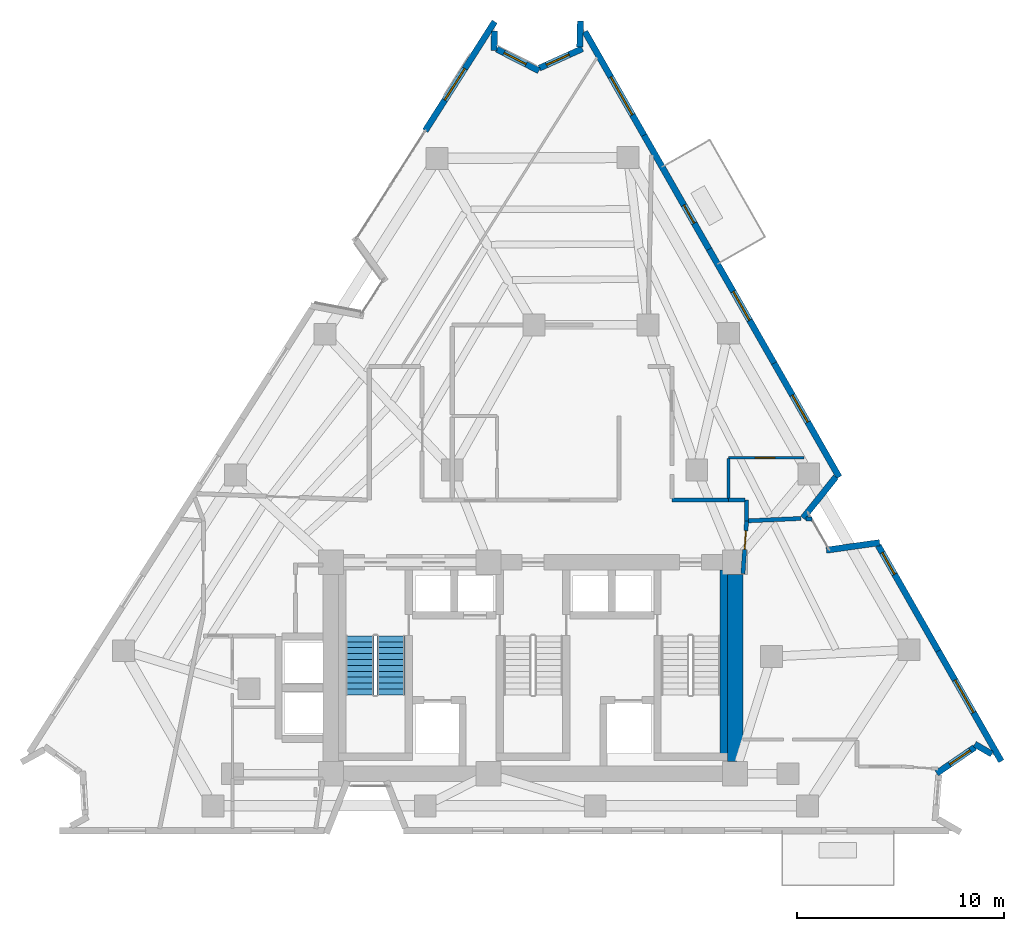
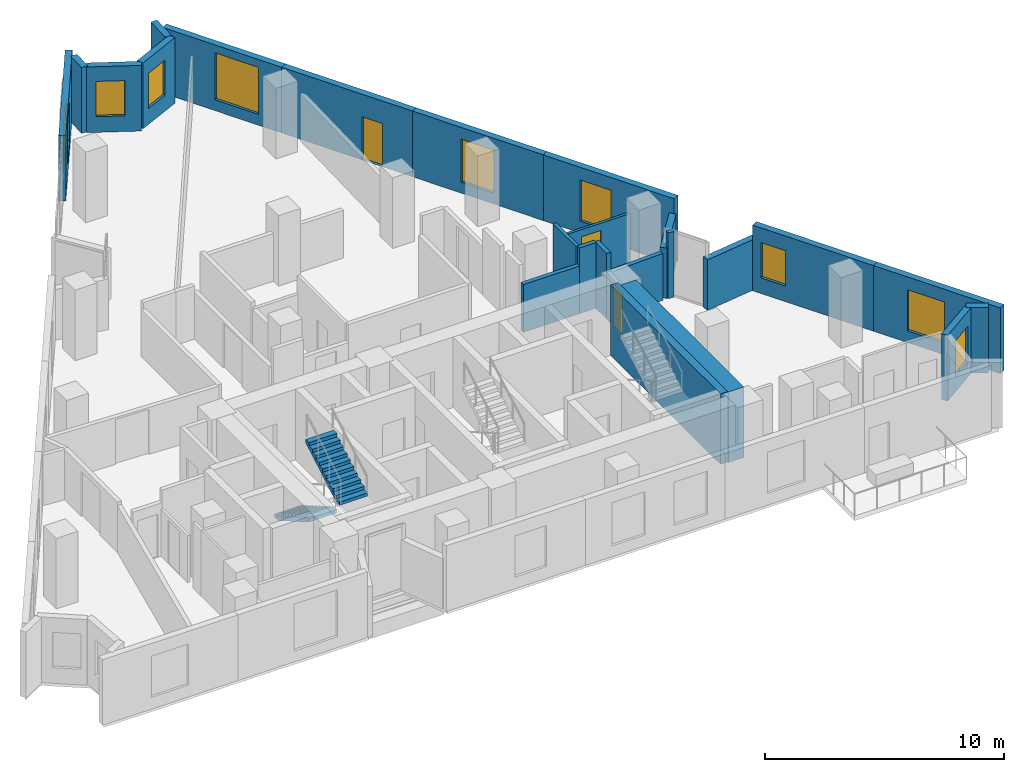
# One storey, part 9 of 12: 25 walls, 9 windows, 3 doors, 2 stair flights, 12 openings, 1 element without a shape of its own.
"""IFC4 building model written with IfcOpenShell, lengths in metres."""

from ifc_helpers import new_model, si_unit, direction, frame, frame_2d, origin, place, context, subcontext, project, spatial, polyline, rectangle, outline, extrude, material, layer, layer_set, type_object, element, fill, aggregate, save


model = new_model("IFC4")

# Units and contexts
model_context = context("Model", 3, precision=1e-05, world=origin(), true_north=direction((0.0, 1.0)))
body_context = subcontext(model_context, "Body", "Model", "MODEL_VIEW")
ifc_project = project(units=[si_unit("LENGTHUNIT", "METRE"), si_unit("AREAUNIT", "SQUARE_METRE"), si_unit("VOLUMEUNIT", "CUBIC_METRE"), si_unit("PLANEANGLEUNIT", "RADIAN"), si_unit("MASSUNIT", "GRAM", prefix="KILO")], contexts=[model_context])

# Site, building, storey
site_placement = place(None, origin())
site = spatial("IfcSite", under=ifc_project, at=site_placement, CompositionType="ELEMENT")
building_placement = place(site_placement, origin())
building = spatial("IfcBuilding", under=site, at=building_placement, Name="Almagre Mirador Tower", CompositionType="ELEMENT")
storey_placement = place(building_placement, frame((0.0, 0.0, 139.199951171875)))
storey = spatial("IfcBuildingStorey", under=building, at=storey_placement, Name="L35", CompositionType="ELEMENT", Elevation=139.199951171875)

# Wall, opening, window
ifc_material_1 = material(Name="Precast concrete C50/60", Category="concrete")
ifc_layer_1 = layer(ifc_material_1, 0.300048828125)
ifc_layer_set_1 = layer_set([ifc_layer_1], Name="Precast concrete C50/60")
wall_type_1 = type_object("IfcWallType", Name="WAL-EXT-300", PredefinedType="SOLIDWALL", material=ifc_layer_set_1)
wall_1_placement = place(storey_placement, frame((32.10205078125, 35.56640625, 0.0), z_axis=(0.0, 0.0, 1.0), x_axis=(0.537093362062, 0.84352280374, 0.0)))
wall_1 = element("IfcWall", 1, at=wall_1_placement, inside=storey, type_object=wall_type_1, Name="L35 expressed almagre precast frame wall 03", PredefinedType="SOLIDWALL", context=body_context, shape_type="SweptSolid", body=[
    extrude(rectangle(XDim=6.235107421875, YDim=0.300048828125, at=frame_2d((3.11767578125, 0.0))), origin(), (0.0, 0.0, 1.0), 3.35009765625),
])
opening_1_placement = place(wall_1_placement, frame((1.75, 0.0, 0.60009765625)))
opening_1 = element("IfcOpeningElement", 2, at=opening_1_placement, cuts=wall_1, Name="Opening WN-01", PredefinedType="OPENING", context=body_context, shape_type="SweptSolid", body=[
    extrude(rectangle(XDim=1.800048828125, YDim=2.10009765625, at=frame_2d((0.89990234375, 1.050048828125))), frame((0.0, 0.159902, 0.0), z_axis=(0.0, -1.0, 0.0), x_axis=(1.0, 0.0, 0.0)), (0.0, 0.0, 1.0), 0.320049),
])
ifc_material_2 = material(Name="Dark solar-control laminated hurricane glass", Category="glass")
window_type_1 = type_object("IfcWindowType", Name="WIN-1800X2100", PartitioningType="DOUBLE_PANEL_VERTICAL", PredefinedType="WINDOW", material=ifc_material_2)
window_1_placement = place(opening_1_placement, origin())
window_1 = element("IfcWindow", 3, at=window_1_placement, inside=storey, type_object=window_type_1, Name="L35 recessed hurricane window L35-RST-H", OverallHeight=2.10009765625, OverallWidth=1.800048828125, PartitioningType="SINGLE_PANEL", PredefinedType="WINDOW", context=body_context, shape_type="SweptSolid", body=[
    extrude(rectangle(XDim=1.800048828125, YDim=2.10009765625, at=frame_2d((0.89990234375, 1.050048828125))), frame((0.0, 0.030029296875, 0.0), z_axis=(0.0, -1.0, 0.0), x_axis=(1.0, 0.0, 0.0)), (0.0, 0.0, 1.0), 0.06005859375),
])
fill(opening_1, window_1)

# Wall
wall_2_placement = place(storey_placement, frame((35.4404296875, 40.381103515625, 0.0), z_axis=(0.0, 0.0, 1.0), x_axis=(-0.023766291255, -0.999717541809, 0.0)))
element("IfcWall", 4, at=wall_2_placement, inside=storey, type_object=wall_type_1, Name="L35 expressed almagre precast frame wall 04", PredefinedType="SOLIDWALL", context=body_context, shape_type="SweptSolid", body=[
    extrude(rectangle(XDim=0.955322265625, YDim=0.300048828125, at=frame_2d((0.4775390625, 0.0))), origin(), (0.0, 0.0, 1.0), 3.35009765625),
])

# Wall, opening, window
wall_3_placement = place(storey_placement, frame((35.545654296875, 39.502197265625, 0.0), z_axis=(0.0, 0.0, 1.0), x_axis=(0.890388661124, -0.455201089786, 0.0)))
wall_3 = element("IfcWall", 5, at=wall_3_placement, inside=storey, type_object=wall_type_1, Name="L35 expressed almagre precast frame wall 05", PredefinedType="SOLIDWALL", context=body_context, shape_type="SweptSolid", body=[
    extrude(rectangle(XDim=2.29345703125, YDim=0.300048828125, at=frame_2d((1.146728515625, 0.0))), origin(), (0.0, 0.0, 1.0), 3.35009765625),
])
opening_2_placement = place(wall_3_placement, frame((0.39501953125, 0.0, 0.800048828125)))
opening_2 = element("IfcOpeningElement", 6, at=opening_2_placement, cuts=wall_3, Name="Opening WN-04", PredefinedType="OPENING", context=body_context, shape_type="SweptSolid", body=[
    extrude(rectangle(XDim=1.199951171875, YDim=1.800048828125, at=frame_2d((0.60009765625, 0.89990234375))), frame((0.0, 0.159902, 0.0), z_axis=(0.0, -1.0, 0.0), x_axis=(1.0, 0.0, 0.0)), (0.0, 0.0, 1.0), 0.320049),
])
ifc_material_3 = material(Name="Dark solar-control laminated hurricane glass", Category="glass")
window_type_2 = type_object("IfcWindowType", Name="WIN-1200X1800", PartitioningType="SINGLE_PANEL", PredefinedType="WINDOW", material=ifc_material_3)
window_2_placement = place(opening_2_placement, origin())
window_2 = element("IfcWindow", 7, at=window_2_placement, inside=storey, type_object=window_type_2, Name="L35 recessed hurricane window L35-RST-H", OverallHeight=1.800048828125, OverallWidth=1.199951171875, PartitioningType="SINGLE_PANEL", PredefinedType="WINDOW", context=body_context, shape_type="SweptSolid", body=[
    extrude(rectangle(XDim=1.199951171875, YDim=1.800048828125, at=frame_2d((0.60009765625, 0.89990234375))), frame((0.0, 0.030029296875, 0.0), z_axis=(0.0, -1.0, 0.0), x_axis=(1.0, 0.0, 0.0)), (0.0, 0.0, 1.0), 0.06005859375),
])
fill(opening_2, window_2)

wall_4_placement = place(storey_placement, frame((37.604248046875, 38.585693359375, 0.0), z_axis=(0.0, 0.0, 1.0), x_axis=(0.911256421967, 0.411839451029, 0.0)))
wall_4 = element("IfcWall", 8, at=wall_4_placement, inside=storey, type_object=wall_type_1, Name="L35 expressed almagre precast frame wall 06", PredefinedType="SOLIDWALL", context=body_context, shape_type="SweptSolid", body=[
    extrude(rectangle(XDim=2.277587890625, YDim=0.300048828125, at=frame_2d((1.138671875, 0.0))), origin(), (0.0, 0.0, 1.0), 3.35009765625),
])
opening_3_placement = place(wall_4_placement, frame((0.3798828125, 0.0, 0.800048828125)))
opening_3 = element("IfcOpeningElement", 9, at=opening_3_placement, cuts=wall_4, Name="Opening WN-04", PredefinedType="OPENING", context=body_context, shape_type="SweptSolid", body=[
    extrude(rectangle(XDim=1.199951171875, YDim=1.800048828125, at=frame_2d((0.60009765625, 0.89990234375))), frame((0.0, 0.159902, 0.0), z_axis=(0.0, -1.0, 0.0), x_axis=(1.0, 0.0, 0.0)), (0.0, 0.0, 1.0), 0.320049),
])
window_3_placement = place(opening_3_placement, origin())
window_3 = element("IfcWindow", 10, at=window_3_placement, inside=storey, type_object=window_type_2, Name="L35 recessed hurricane window L35-RST-H", OverallHeight=1.800048828125, OverallWidth=1.199951171875, PartitioningType="SINGLE_PANEL", PredefinedType="WINDOW", context=body_context, shape_type="SweptSolid", body=[
    extrude(rectangle(XDim=1.199951171875, YDim=1.800048828125, at=frame_2d((0.60009765625, 0.89990234375))), frame((0.0, 0.030029296875, 0.0), z_axis=(0.0, -1.0, 0.0), x_axis=(1.0, 0.0, 0.0)), (0.0, 0.0, 1.0), 0.06005859375),
])
fill(opening_3, window_3)

# Wall
wall_5_placement = place(storey_placement, frame((39.555419921875, 39.60595703125, 0.0), z_axis=(0.0, 0.0, 1.0), x_axis=(0.024600187161, 0.999697369603, 0.0)))
element("IfcWall", 11, at=wall_5_placement, inside=storey, type_object=wall_type_1, Name="L35 expressed almagre precast frame wall 07", PredefinedType="SOLIDWALL", context=body_context, shape_type="SweptSolid", body=[
    extrude(rectangle(XDim=1.260498046875, YDim=0.300048828125, at=frame_2d((0.63037109375, 0.0))), origin(), (0.0, 0.0, 1.0), 3.35009765625),
])

# Wall, opening, window
wall_6_placement = place(storey_placement, frame((39.801025390625, 40.343994140625, 0.0), z_axis=(0.0, 0.0, 1.0), x_axis=(0.495718237465, -0.868483407467, 0.0)))
wall_6 = element("IfcWall", 12, at=wall_6_placement, inside=storey, type_object=wall_type_1, Name="L35 expressed almagre precast frame wall 08", PredefinedType="SOLIDWALL", context=body_context, shape_type="SweptSolid", body=[
    extrude(rectangle(XDim=5.75048828125, YDim=0.300048828125, at=frame_2d((2.875244140625, 0.0))), origin(), (0.0, 0.0, 1.0), 3.35009765625),
])
opening_4_placement = place(wall_6_placement, frame((2.52001953125, 0.0, 0.550048828125)))
opening_4 = element("IfcOpeningElement", 13, at=opening_4_placement, cuts=wall_6, Name="Opening WN-05", PredefinedType="OPENING", context=body_context, shape_type="SweptSolid", body=[
    extrude(rectangle(XDim=2.10009765625, YDim=2.39990234375, at=frame_2d((1.050048828125, 1.199951171875))), frame((0.0, 0.159902, 0.0), z_axis=(0.0, -1.0, 0.0), x_axis=(1.0, 0.0, 0.0)), (0.0, 0.0, 1.0), 0.320049),
])
ifc_material_4 = material(Name="Dark solar-control laminated hurricane glass", Category="glass")
window_type_3 = type_object("IfcWindowType", Name="WIN-2100X2400", PartitioningType="DOUBLE_PANEL_VERTICAL", PredefinedType="WINDOW", material=ifc_material_4)
window_4_placement = place(opening_4_placement, origin())
window_4 = element("IfcWindow", 14, at=window_4_placement, inside=storey, type_object=window_type_3, Name="L35 recessed hurricane window L35-RST-J", OverallHeight=2.39990234375, OverallWidth=2.10009765625, PartitioningType="SINGLE_PANEL", PredefinedType="WINDOW", context=body_context, shape_type="SweptSolid", body=[
    extrude(rectangle(XDim=2.10009765625, YDim=2.39990234375, at=frame_2d((1.050048828125, 1.199951171875))), frame((0.0, 0.030029296875, 0.0), z_axis=(0.0, -1.0, 0.0), x_axis=(1.0, 0.0, 0.0)), (0.0, 0.0, 1.0), 0.06005859375),
])
fill(opening_4, window_4)

# Wall, opening, door
wall_7_placement = place(storey_placement, frame((42.651611328125, 35.349853515625, 0.0), z_axis=(0.0, 0.0, 1.0), x_axis=(0.495702771017, -0.868492235317, 0.0)))
wall_7 = element("IfcWall", 15, at=wall_7_placement, inside=storey, type_object=wall_type_1, Name="L35 expressed almagre precast frame wall 09", PredefinedType="SOLIDWALL", context=body_context, shape_type="SweptSolid", body=[
    extrude(rectangle(XDim=6.330322265625, YDim=0.300048828125, at=frame_2d((3.1650390625, 0.0))), origin(), (0.0, 0.0, 1.0), 3.35009765625),
])
opening_5_placement = place(wall_7_placement, frame((3.8876953125, 0.0, 0.0)))
opening_5 = element("IfcOpeningElement", 16, at=opening_5_placement, cuts=wall_7, Name="Opening BD-01", PredefinedType="OPENING", context=body_context, shape_type="SweptSolid", body=[
    extrude(rectangle(XDim=1.0, YDim=2.199951171875, at=frame_2d((0.5, 1.10009765625))), frame((0.0, 0.159902, 0.0), z_axis=(0.0, -1.0, 0.0), x_axis=(1.0, 0.0, 0.0)), (0.0, 0.0, 1.0), 0.320049),
])
ifc_material_5 = material(Name="Black anodized aluminium and laminated glass", Category="aluminium")
door_type_1 = type_object("IfcDoorType", Name="DOR-BAL-1000X2200", OperationType="NOTDEFINED", PredefinedType="DOOR", material=ifc_material_5)
door_1_placement = place(opening_5_placement, origin())
door_1 = element("IfcDoor", 17, at=door_1_placement, inside=storey, type_object=door_type_1, Name="DR-1141 L35 east balcony glazed door 2", OperationType="SINGLE_SWING_RIGHT", OverallHeight=2.199951171875, OverallWidth=1.0, PredefinedType="DOOR", context=body_context, shape_type="SweptSolid", body=[
    extrude(rectangle(XDim=1.0, YDim=2.199951171875, at=frame_2d((0.5, 1.10009765625))), frame((0.0, 0.02490234375, 0.0), z_axis=(0.0, -1.0, 0.0), x_axis=(1.0, 0.0, 0.0)), (0.0, 0.0, 1.0), 0.050048828125),
])
fill(opening_5, door_1)

# Wall, opening, window
wall_8_placement = place(storey_placement, frame((45.78955078125, 29.85205078125, 0.0), z_axis=(0.0, 0.0, 1.0), x_axis=(0.495702771017, -0.868492235317, 0.0)))
wall_8 = element("IfcWall", 18, at=wall_8_placement, inside=storey, type_object=wall_type_1, Name="L35 expressed almagre precast frame wall 10", PredefinedType="SOLIDWALL", context=body_context, shape_type="SweptSolid", body=[
    extrude(rectangle(XDim=6.330322265625, YDim=0.300048828125, at=frame_2d((3.1650390625, 0.0))), origin(), (0.0, 0.0, 1.0), 3.35009765625),
])
opening_6_placement = place(wall_8_placement, frame((2.35009765625, 0.0, 0.550048828125)))
opening_6 = element("IfcOpeningElement", 19, at=opening_6_placement, cuts=wall_8, Name="Opening WN-06", PredefinedType="OPENING", context=body_context, shape_type="SweptSolid", body=[
    extrude(rectangle(XDim=1.60009765625, YDim=2.199951171875, at=frame_2d((0.800048828125, 1.10009765625))), frame((0.0, 0.159902, 0.0), z_axis=(0.0, -1.0, 0.0), x_axis=(1.0, 0.0, 0.0)), (0.0, 0.0, 1.0), 0.320049),
])
ifc_material_6 = material(Name="Dark solar-control laminated hurricane glass", Category="glass")
window_type_4 = type_object("IfcWindowType", Name="WIN-1600X2200", PartitioningType="DOUBLE_PANEL_VERTICAL", PredefinedType="WINDOW", material=ifc_material_6)
window_5_placement = place(opening_6_placement, origin())
window_5 = element("IfcWindow", 20, at=window_5_placement, inside=storey, type_object=window_type_4, Name="L35 recessed hurricane window L35-UG-ST", OverallHeight=2.199951171875, OverallWidth=1.60009765625, PartitioningType="SINGLE_PANEL", PredefinedType="WINDOW", context=body_context, shape_type="SweptSolid", body=[
    extrude(rectangle(XDim=1.60009765625, YDim=2.199951171875, at=frame_2d((0.800048828125, 1.10009765625))), frame((0.0, 0.030029296875, 0.0), z_axis=(0.0, -1.0, 0.0), x_axis=(1.0, 0.0, 0.0)), (0.0, 0.0, 1.0), 0.06005859375),
])
fill(opening_6, window_5)

wall_9_placement = place(storey_placement, frame((48.927490234375, 24.354248046875, 0.0), z_axis=(0.0, 0.0, 1.0), x_axis=(0.495702771017, -0.868492235317, 0.0)))
wall_9 = element("IfcWall", 21, at=wall_9_placement, inside=storey, type_object=wall_type_1, Name="L35 expressed almagre precast frame wall 11", PredefinedType="SOLIDWALL", context=body_context, shape_type="SweptSolid", body=[
    extrude(rectangle(XDim=6.330322265625, YDim=0.300048828125, at=frame_2d((3.1650390625, 0.0))), origin(), (0.0, 0.0, 1.0), 3.35009765625),
])
opening_7_placement = place(wall_9_placement, frame((1.77490234375, 0.0, 0.60009765625)))
opening_7 = element("IfcOpeningElement", 22, at=opening_7_placement, cuts=wall_9, Name="Opening WN-03", PredefinedType="OPENING", context=body_context, shape_type="SweptSolid", body=[
    extrude(rectangle(XDim=1.5, YDim=2.10009765625, at=frame_2d((0.75, 1.050048828125))), frame((0.0, 0.159902, 0.0), z_axis=(0.0, -1.0, 0.0), x_axis=(1.0, 0.0, 0.0)), (0.0, 0.0, 1.0), 0.320049),
])
ifc_material_7 = material(Name="Dark solar-control laminated hurricane glass", Category="glass")
window_type_5 = type_object("IfcWindowType", Name="WIN-1500X2100", PartitioningType="DOUBLE_PANEL_VERTICAL", PredefinedType="WINDOW", material=ifc_material_7)
window_6_placement = place(opening_7_placement, origin())
window_6 = element("IfcWindow", 23, at=window_6_placement, inside=storey, type_object=window_type_5, Name="L35 recessed hurricane window L35-UG-ST", OverallHeight=2.10009765625, OverallWidth=1.5, PartitioningType="SINGLE_PANEL", PredefinedType="WINDOW", context=body_context, shape_type="SweptSolid", body=[
    extrude(rectangle(XDim=1.5, YDim=2.10009765625, at=frame_2d((0.75, 1.050048828125))), frame((0.0, 0.030029296875, 0.0), z_axis=(0.0, -1.0, 0.0), x_axis=(1.0, 0.0, 0.0)), (0.0, 0.0, 1.0), 0.06005859375),
])
fill(opening_7, window_6)

# Walls
wall_10_placement = place(storey_placement, frame((51.90869140625, 18.86865234375, 0.0), z_axis=(0.0, 0.0, 1.0), x_axis=(-0.624062389724, -0.781374515666, 0.0)))
element("IfcWall", 24, at=wall_10_placement, inside=storey, type_object=wall_type_1, Name="L35 expressed almagre precast frame wall 12", PredefinedType="SOLIDWALL", context=body_context, shape_type="SweptSolid", body=[
    extrude(rectangle(XDim=2.5419921875, YDim=0.300048828125, at=frame_2d((1.27099609375, 0.0))), origin(), (0.0, 0.0, 1.0), 2.574951171875),
])
wall_11_placement = place(storey_placement, frame((51.449462890625, 15.33447265625, 0.0), z_axis=(0.0, 0.0, 1.0), x_axis=(0.990155518745, 0.139971599617, 0.0)))
element("IfcWall", 25, at=wall_11_placement, inside=storey, type_object=wall_type_1, Name="L35 expressed almagre precast frame wall 13", PredefinedType="SOLIDWALL", context=body_context, shape_type="SweptSolid", body=[
    extrude(rectangle(XDim=2.59375, YDim=0.300048828125, at=frame_2d((1.296875, 0.0))), origin(), (0.0, 0.0, 1.0), 2.574951171875),
])

# Wall, opening, window
wall_12_placement = place(storey_placement, frame((53.94580078125, 15.560791015625, 0.0), z_axis=(0.0, 0.0, 1.0), x_axis=(0.495694281434, -0.868497080797, 0.0)))
wall_12 = element("IfcWall", 26, at=wall_12_placement, inside=storey, type_object=wall_type_1, Name="L35 expressed almagre precast frame wall 14", PredefinedType="SOLIDWALL", context=body_context, shape_type="SweptSolid", body=[
    extrude(rectangle(XDim=5.854736328125, YDim=0.300048828125, at=frame_2d((2.92724609375, 0.0))), origin(), (0.0, 0.0, 1.0), 3.35009765625),
])
opening_8_placement = place(wall_12_placement, frame((0.39990234375, 0.0, 0.800048828125)))
opening_8 = element("IfcOpeningElement", 27, at=opening_8_placement, cuts=wall_12, Name="Opening WN-04", PredefinedType="OPENING", context=body_context, shape_type="SweptSolid", body=[
    extrude(rectangle(XDim=1.199951171875, YDim=1.800048828125, at=frame_2d((0.60009765625, 0.89990234375))), frame((0.0, 0.159902, 0.0), z_axis=(0.0, -1.0, 0.0), x_axis=(1.0, 0.0, 0.0)), (0.0, 0.0, 1.0), 0.320049),
])
window_7_placement = place(opening_8_placement, origin())
window_7 = element("IfcWindow", 28, at=window_7_placement, inside=storey, type_object=window_type_2, Name="L35 recessed hurricane window L35-UE-BT", OverallHeight=1.800048828125, OverallWidth=1.199951171875, PartitioningType="SINGLE_PANEL", PredefinedType="WINDOW", context=body_context, shape_type="SweptSolid", body=[
    extrude(rectangle(XDim=1.199951171875, YDim=1.800048828125, at=frame_2d((0.60009765625, 0.89990234375))), frame((0.0, 0.030029296875, 0.0), z_axis=(0.0, -1.0, 0.0), x_axis=(1.0, 0.0, 0.0)), (0.0, 0.0, 1.0), 0.06005859375),
])
fill(opening_8, window_7)

wall_13_placement = place(storey_placement, frame((56.847900390625, 10.47607421875, 0.0), z_axis=(0.0, 0.0, 1.0), x_axis=(0.495701378265, -0.868493030246, 0.0)))
wall_13 = element("IfcWall", 29, at=wall_13_placement, inside=storey, type_object=wall_type_1, Name="L35 expressed almagre precast frame wall 15", PredefinedType="SOLIDWALL", context=body_context, shape_type="SweptSolid", body=[
    extrude(rectangle(XDim=6.1298828125, YDim=0.300048828125, at=frame_2d((3.06494140625, 0.0))), origin(), (0.0, 0.0, 1.0), 3.35009765625),
])
opening_9_placement = place(wall_13_placement, frame((1.625, 0.0, 0.60009765625)))
opening_9 = element("IfcOpeningElement", 30, at=opening_9_placement, cuts=wall_13, Name="Opening WN-01", PredefinedType="OPENING", context=body_context, shape_type="SweptSolid", body=[
    extrude(rectangle(XDim=1.800048828125, YDim=2.10009765625, at=frame_2d((0.89990234375, 1.050048828125))), frame((0.0, 0.159902, 0.0), z_axis=(0.0, -1.0, 0.0), x_axis=(1.0, 0.0, 0.0)), (0.0, 0.0, 1.0), 0.320049),
])
window_8_placement = place(opening_9_placement, origin())
window_8 = element("IfcWindow", 31, at=window_8_placement, inside=storey, type_object=window_type_1, Name="L35 recessed hurricane window L35-UD-ST", OverallHeight=2.10009765625, OverallWidth=1.800048828125, PartitioningType="SINGLE_PANEL", PredefinedType="WINDOW", context=body_context, shape_type="SweptSolid", body=[
    extrude(rectangle(XDim=1.800048828125, YDim=2.10009765625, at=frame_2d((0.89990234375, 1.050048828125))), frame((0.0, 0.030029296875, 0.0), z_axis=(0.0, -1.0, 0.0), x_axis=(1.0, 0.0, 0.0)), (0.0, 0.0, 1.0), 0.06005859375),
])
fill(opening_9, window_8)

# Wall
wall_14_placement = place(storey_placement, frame((59.432373046875, 5.49755859375, 0.0), z_axis=(0.0, 0.0, 1.0), x_axis=(-0.864584698218, 0.502487113871, 0.0)))
element("IfcWall", 32, at=wall_14_placement, inside=storey, type_object=wall_type_1, Name="L35 expressed almagre precast frame wall 16", PredefinedType="SOLIDWALL", context=body_context, shape_type="SweptSolid", body=[
    extrude(rectangle(XDim=0.954833984375, YDim=0.300048828125, at=frame_2d((0.4775390625, 0.0))), origin(), (0.0, 0.0, 1.0), 3.35009765625),
])

# Wall, opening, window
wall_15_placement = place(storey_placement, frame((58.6083984375, 5.8251953125, 0.0), z_axis=(0.0, 0.0, 1.0), x_axis=(-0.8261738865, -0.563415219234, 0.0)))
wall_15 = element("IfcWall", 33, at=wall_15_placement, inside=storey, type_object=wall_type_1, Name="L35 expressed almagre precast frame wall 17", PredefinedType="SOLIDWALL", context=body_context, shape_type="SweptSolid", body=[
    extrude(rectangle(XDim=2.222412109375, YDim=0.300048828125, at=frame_2d((1.111328125, 0.0))), origin(), (0.0, 0.0, 1.0), 3.35009765625),
])
opening_10_placement = place(wall_15_placement, frame((0.264892578125, 0.0, 0.800048828125)))
opening_10 = element("IfcOpeningElement", 34, at=opening_10_placement, cuts=wall_15, Name="Opening WN-04", PredefinedType="OPENING", context=body_context, shape_type="SweptSolid", body=[
    extrude(rectangle(XDim=1.199951171875, YDim=1.800048828125, at=frame_2d((0.60009765625, 0.89990234375))), frame((0.0, 0.159902, 0.0), z_axis=(0.0, -1.0, 0.0), x_axis=(1.0, 0.0, 0.0)), (0.0, 0.0, 1.0), 0.320049),
])
window_9_placement = place(opening_10_placement, origin())
window_9 = element("IfcWindow", 35, at=window_9_placement, inside=storey, type_object=window_type_2, Name="L35 recessed hurricane window L35-UD-ST", OverallHeight=1.800048828125, OverallWidth=1.199951171875, PartitioningType="SINGLE_PANEL", PredefinedType="WINDOW", context=body_context, shape_type="SweptSolid", body=[
    extrude(rectangle(XDim=1.199951171875, YDim=1.800048828125, at=frame_2d((0.60009765625, 0.89990234375))), frame((0.0, 0.030029296875, 0.0), z_axis=(0.0, -1.0, 0.0), x_axis=(1.0, 0.0, 0.0)), (0.0, 0.0, 1.0), 0.06005859375),
])
fill(opening_10, window_9)

# Wall, opening, door
ifc_material_8 = material(Name="Gypsum acoustic stud partition", Category="other")
ifc_layer_2 = layer(ifc_material_8, 0.125)
ifc_layer_set_2 = layer_set([ifc_layer_2], Name="Gypsum acoustic stud partition")
wall_type_2 = type_object("IfcWallType", Name="WAL-PRT-125-UTL", PredefinedType="PARTITIONING", material=ifc_layer_set_2)
wall_16_placement = place(storey_placement, frame((46.719970703125, 19.800048828125, 0.0), z_axis=(0.0, 0.0, 1.0), x_axis=(1.0, 0.0, 0.0)))
wall_16 = element("IfcWall", 36, at=wall_16_placement, inside=storey, type_object=wall_type_2, Name="L35 interior partition 054", PredefinedType="PARTITIONING", context=body_context, shape_type="SweptSolid", body=[
    extrude(rectangle(XDim=3.650146484375, YDim=0.125, at=frame_2d((1.8251953125, 0.0))), origin(), (0.0, 0.0, 1.0), 2.570068359375),
])
opening_11_placement = place(wall_16_placement, frame((1.29248046875, 0.0, 0.0)))
opening_11 = element("IfcOpeningElement", 37, at=opening_11_placement, cuts=wall_16, Name="Opening UD-01", PredefinedType="OPENING", context=body_context, shape_type="SweptSolid", body=[
    extrude(rectangle(XDim=0.949951171875, YDim=2.199951171875, at=frame_2d((0.47509765625, 1.10009765625))), frame((0.0, 0.0725, 0.0), z_axis=(0.0, -1.0, 0.0), x_axis=(1.0, 0.0, 0.0)), (0.0, 0.0, 1.0), 0.145),
])
ifc_material_9 = material(Name="Solid American walnut timber", Category="wood")
door_type_2 = type_object("IfcDoorType", Name="DOR-UNR-950X2200", OperationType="NOTDEFINED", PredefinedType="DOOR", material=ifc_material_9)
door_2_placement = place(opening_11_placement, origin())
door_2 = element("IfcDoor", 38, at=door_2_placement, inside=storey, type_object=door_type_2, Name="DR-1158 L35 interior door L35-UG-ST to L35-UG-KT", OperationType="SINGLE_SWING_LEFT", OverallHeight=2.199951171875, OverallWidth=0.949951171875, PredefinedType="DOOR", context=body_context, shape_type="SweptSolid", body=[
    extrude(rectangle(XDim=0.949951171875, YDim=2.199951171875, at=frame_2d((0.47509765625, 1.10009765625))), frame((0.0, 0.02490234375, 0.0), z_axis=(0.0, -1.0, 0.0), x_axis=(1.0, 0.0, 0.0)), (0.0, 0.0, 1.0), 0.050048828125),
])
fill(opening_11, door_2)

# Wall
ifc_material_10 = material(Name="Gypsum acoustic stud partition", Category="other")
ifc_layer_3 = layer(ifc_material_10, 0.14990234375)
ifc_layer_set_3 = layer_set([ifc_layer_3], Name="Gypsum acoustic stud partition")
wall_type_3 = type_object("IfcWallType", Name="WAL-PRT-150-STD", PredefinedType="PARTITIONING", material=ifc_layer_set_3)
wall_17_placement = place(storey_placement, frame((46.719970703125, 19.75244140625, 0.0), z_axis=(0.0, 0.0, 1.0), x_axis=(0.0, -1.0, 0.0)))
element("IfcWall", 39, at=wall_17_placement, inside=storey, type_object=wall_type_3, Name="L35 interior partition 058", PredefinedType="PARTITIONING", context=body_context, shape_type="SweptSolid", body=[
    extrude(rectangle(XDim=1.91748046875, YDim=0.14990234375, at=frame_2d((0.958740234375, 0.0))), origin(), (0.0, 0.0, 1.0), 3.35009765625),
])

# Wall, opening, door
ifc_material_11 = material(Name="Gypsum acoustic stud partition", Category="other")
ifc_layer_4 = layer(ifc_material_11, 0.199951171875)
ifc_layer_set_4 = layer_set([ifc_layer_4], Name="Gypsum acoustic stud partition")
wall_type_4 = type_object("IfcWallType", Name="WAL-PRT-200-EI60", PredefinedType="PARTITIONING", material=ifc_layer_set_4)
wall_18_placement = place(storey_placement, frame((47.425048828125, 14.199951171875, 0.0), z_axis=(0.0, 0.0, 1.0), x_axis=(0.068484119878, 0.997652206595, 0.0)))
wall_18 = element("IfcWall", 40, at=wall_18_placement, inside=storey, type_object=wall_type_4, Name="L35 interior partition 005", PredefinedType="PARTITIONING", context=body_context, shape_type="SweptSolid", body=[
    extrude(rectangle(XDim=2.55615234375, YDim=0.199951171875, at=frame_2d((1.278076171875, 0.0))), origin(), (0.0, 0.0, 1.0), 2.39306640625),
])
opening_12_placement = place(wall_18_placement, frame((1.172119140625, 0.0, 0.0)))
opening_12 = element("IfcOpeningElement", 41, at=opening_12_placement, cuts=wall_18, Name="Opening ID-03", PredefinedType="OPENING", context=body_context, shape_type="SweptSolid", body=[
    extrude(rectangle(XDim=0.89990234375, YDim=2.10009765625, at=frame_2d((0.449951171875, 1.050048828125))), frame((0.0, 0.110098, 0.0), z_axis=(0.0, -1.0, 0.0), x_axis=(1.0, 0.0, 0.0)), (0.0, 0.0, 1.0), 0.219951),
])
ifc_material_12 = material(Name="Fire-rated hollow steel", Category="steel")
door_type_3 = type_object("IfcDoorType", Name="DOR-FD60-900X2100", OperationType="NOTDEFINED", PredefinedType="DOOR", material=ifc_material_12)
door_3_placement = place(opening_12_placement, origin())
door_3 = element("IfcDoor", 42, at=door_3_placement, inside=storey, type_object=door_type_3, Name="DR-1150 L35 interior door L35-RCOR to L35-UE-ST", OperationType="SINGLE_SWING_LEFT", OverallHeight=2.10009765625, OverallWidth=0.89990234375, PredefinedType="DOOR", context=body_context, shape_type="SweptSolid", body=[
    extrude(rectangle(XDim=0.89990234375, YDim=2.10009765625, at=frame_2d((0.449951171875, 1.050048828125))), frame((0.0, 0.02490234375, 0.0), z_axis=(0.0, -1.0, 0.0), x_axis=(1.0, 0.0, 0.0)), (0.0, 0.0, 1.0), 0.050048828125),
])
fill(opening_12, door_3)

# Walls
wall_19_placement = place(storey_placement, frame((47.60009765625, 16.75, 0.0), z_axis=(0.0, 0.0, 1.0), x_axis=(0.0, 1.0, 0.0)))
element("IfcWall", 43, at=wall_19_placement, inside=storey, type_object=wall_type_4, Name="L35 interior partition 011", PredefinedType="PARTITIONING", context=body_context, shape_type="SweptSolid", body=[
    extrude(rectangle(XDim=1.0, YDim=0.199951171875, at=frame_2d((0.5, 0.0))), origin(), (0.0, 0.0, 1.0), 3.35009765625),
])
wall_20_placement = place(storey_placement, frame((47.514892578125, 17.75, 0.0), z_axis=(0.0, 0.0, 1.0), x_axis=(-1.0, 0.0, 0.0)))
element("IfcWall", 44, at=wall_20_placement, inside=storey, type_object=wall_type_4, Name="L35 interior partition 012", PredefinedType="PARTITIONING", context=body_context, shape_type="SweptSolid", body=[
    extrude(rectangle(XDim=0.794921875, YDim=0.199951171875, at=frame_2d((0.3974609375, 0.0))), origin(), (0.0, 0.0, 1.0), 3.35009765625),
])
wall_21_placement = place(storey_placement, frame((46.719970703125, 17.75, 0.0), z_axis=(0.0, 0.0, 1.0), x_axis=(-1.0, 0.0, 0.0)))
element("IfcWall", 45, at=wall_21_placement, inside=storey, type_object=wall_type_4, Name="L35 interior partition 013", PredefinedType="PARTITIONING", context=body_context, shape_type="SweptSolid", body=[
    extrude(rectangle(XDim=2.719970703125, YDim=0.199951171875, at=frame_2d((1.35986328125, 0.0))), origin(), (0.0, 0.0, 1.0), 2.43603515625),
])
wall_22_placement = place(storey_placement, frame((50.215087890625, 16.863037109375, 0.0), z_axis=(0.0, 0.0, 1.0), x_axis=(-0.999003421761, -0.04463365669, 0.0)))
element("IfcWall", 46, at=wall_22_placement, inside=storey, type_object=wall_type_4, Name="L35 interior partition 045", PredefinedType="PARTITIONING", context=body_context, shape_type="SweptSolid", body=[
    extrude(rectangle(XDim=2.532470703125, YDim=0.199951171875, at=frame_2d((1.26611328125, 0.0))), origin(), (0.0, 0.0, 1.0), 2.39306640625),
])
wall_23_placement = place(storey_placement, frame((50.7490234375, 16.823974609375, 0.0), z_axis=(0.0, 0.0, 1.0), x_axis=(-0.994299311312, 0.106624947944, 0.0)))
element("IfcWall", 47, at=wall_23_placement, inside=storey, type_object=wall_type_4, Name="L35 interior partition 047", PredefinedType="PARTITIONING", context=body_context, shape_type="SweptSolid", body=[
    extrude(rectangle(XDim=0.28173828125, YDim=0.199951171875, at=frame_2d((0.140869140625, 0.0))), origin(), (0.0, 0.0, 1.0), 3.35009765625),
])
ifc_material_13 = material(Name="Concrete C60/75", Category="concrete")
ifc_layer_5 = layer(ifc_material_13, 0.35009765625)
ifc_layer_set_5 = layer_set([ifc_layer_5], Name="Concrete C60/75")
wall_type_5 = type_object("IfcWallType", Name="WAL-SHF-350", PredefinedType="SOLIDWALL", material=ifc_layer_set_5)
wall_24_placement = place(storey_placement, frame((46.5, 5.199951171875, 0.0), z_axis=(0.0, 0.0, 1.0), x_axis=(0.0, 1.0, 0.0)))
element("IfcWall", 48, at=wall_24_placement, inside=storey, type_object=wall_type_5, Name="L35 shaft wall ST3-E", PredefinedType="SOLIDWALL", context=body_context, shape_type="SweptSolid", body=[
    extrude(rectangle(XDim=9.175048828125, YDim=0.35009765625, at=frame_2d((4.58740234375, 0.0))), origin(), (0.0, 0.0, 1.0), 3.60009765625),
])
ifc_material_14 = material(Name="Concrete C60/75", Category="concrete")
ifc_layer_6 = layer(ifc_material_14, 0.75)
ifc_layer_set_6 = layer_set([ifc_layer_6], Name="Concrete C60/75")
wall_type_6 = type_object("IfcWallType", Name="WAL-SHR-750", PredefinedType="SHEAR", material=ifc_layer_set_6)
wall_25_placement = place(storey_placement, frame((47.050048828125, 5.14990234375, 0.0), z_axis=(0.0, 0.0, 1.0), x_axis=(0.0, 1.0, 0.0)))
element("IfcWall", 49, at=wall_25_placement, inside=storey, type_object=wall_type_6, Name="L35 core shear wall E1", PredefinedType="SHEAR", context=body_context, shape_type="SweptSolid", body=[
    extrude(rectangle(XDim=9.0, YDim=0.75, at=frame_2d((4.5, 0.0))), origin(), (0.0, 0.0, 1.0), 3.60009765625),
])

# Stair, stair flights
ifc_material_15 = material(Name="Concrete C45/55", Category="concrete")
stair_type = type_object("IfcStairType", Name="STR-DL-3600", PredefinedType="HALF_TURN_STAIR", material=ifc_material_15)
stair_placement = place(storey_placement, origin())
stair = element("IfcStair", 50, at=stair_placement, inside=storey, type_object=stair_type, Name="L35 Protected exit stair ST-1", PredefinedType="HALF_TURN_STAIR")
ifc_material_16 = material(Name="Concrete C45/55", Category="concrete")
stair_flight_type = type_object("IfcStairFlightType", Name="FLT-DL-3600", PredefinedType="STRAIGHT", material=ifc_material_16)
stair_flight_1_placement = place(storey_placement, frame((28.949951171875, 11.199951171875, 0.0), z_axis=(0.0, 0.0, 1.0), x_axis=(0.0, -1.0, 0.0)))
stair_flight_1 = element("IfcStairFlight", 51, at=stair_flight_1_placement, type_object=stair_flight_type, Name="ST-1 flight 1", NumberOfRisers=11, NumberOfTreads=10, PredefinedType="STRAIGHT", RiserHeight=0.163636364, TreadLength=0.285, context=body_context, shape_type="SweptSolid", body=[
    extrude(outline(polyline([(0.0, 0.0), (0.0, 0.16357421875), (0.284912109375, 0.16357421875), (0.284912109375, 0.327392578125), (0.570068359375, 0.327392578125), (0.570068359375, 0.490966796875), (0.85498046875, 0.490966796875), (0.85498046875, 0.654541015625), (1.139892578125, 0.654541015625), (1.139892578125, 0.818115234375), (1.425048828125, 0.818115234375), (1.425048828125, 0.98193359375), (1.7099609375, 0.98193359375), (1.7099609375, 1.1455078125), (1.9951171875, 1.1455078125), (1.9951171875, 1.30908203125), (2.280029296875, 1.30908203125), (2.280029296875, 1.47265625), (2.56494140625, 1.47265625), (2.56494140625, 1.636474609375), (2.85009765625, 1.636474609375), (2.85009765625, 1.800048828125), (2.85009765625, 1.463623046875), (0.301025390625, 0.0), (0.0, 0.0)])), frame((0.0, 0.675048828125, 0.0), z_axis=(0.0, -1.0, 0.0), x_axis=(1.0, 0.0, 0.0)), (0.0, 0.0, 1.0), 1.35009765625),
])
stair_flight_2_placement = place(storey_placement, frame((30.449951171875, 8.35009765625, 1.800048828125), z_axis=(0.0, 0.0, 1.0), x_axis=(0.0, 1.0, 0.0)))
stair_flight_2 = element("IfcStairFlight", 52, at=stair_flight_2_placement, type_object=stair_flight_type, Name="ST-1 flight 2", NumberOfRisers=11, NumberOfTreads=10, PredefinedType="STRAIGHT", RiserHeight=0.163636364, TreadLength=0.285, context=body_context, shape_type="SweptSolid", body=[
    extrude(outline(polyline([(0.0, 0.0), (0.0, 0.16357421875), (0.284912109375, 0.16357421875), (0.284912109375, 0.327392578125), (0.570068359375, 0.327392578125), (0.570068359375, 0.490966796875), (0.85498046875, 0.490966796875), (0.85498046875, 0.654541015625), (1.139892578125, 0.654541015625), (1.139892578125, 0.818115234375), (1.425048828125, 0.818115234375), (1.425048828125, 0.98193359375), (1.7099609375, 0.98193359375), (1.7099609375, 1.1455078125), (1.9951171875, 1.1455078125), (1.9951171875, 1.30908203125), (2.280029296875, 1.30908203125), (2.280029296875, 1.47265625), (2.56494140625, 1.47265625), (2.56494140625, 1.636474609375), (2.85009765625, 1.636474609375), (2.85009765625, 1.800048828125), (2.85009765625, 1.463623046875), (0.301025390625, 0.0), (0.0, 0.0)])), frame((0.0, 0.675048828125, 0.0), z_axis=(0.0, -1.0, 0.0), x_axis=(1.0, 0.0, 0.0)), (0.0, 0.0, 1.0), 1.35009765625),
])
aggregate(stair, [stair_flight_1, stair_flight_2])

save(model, "model.ifc")
